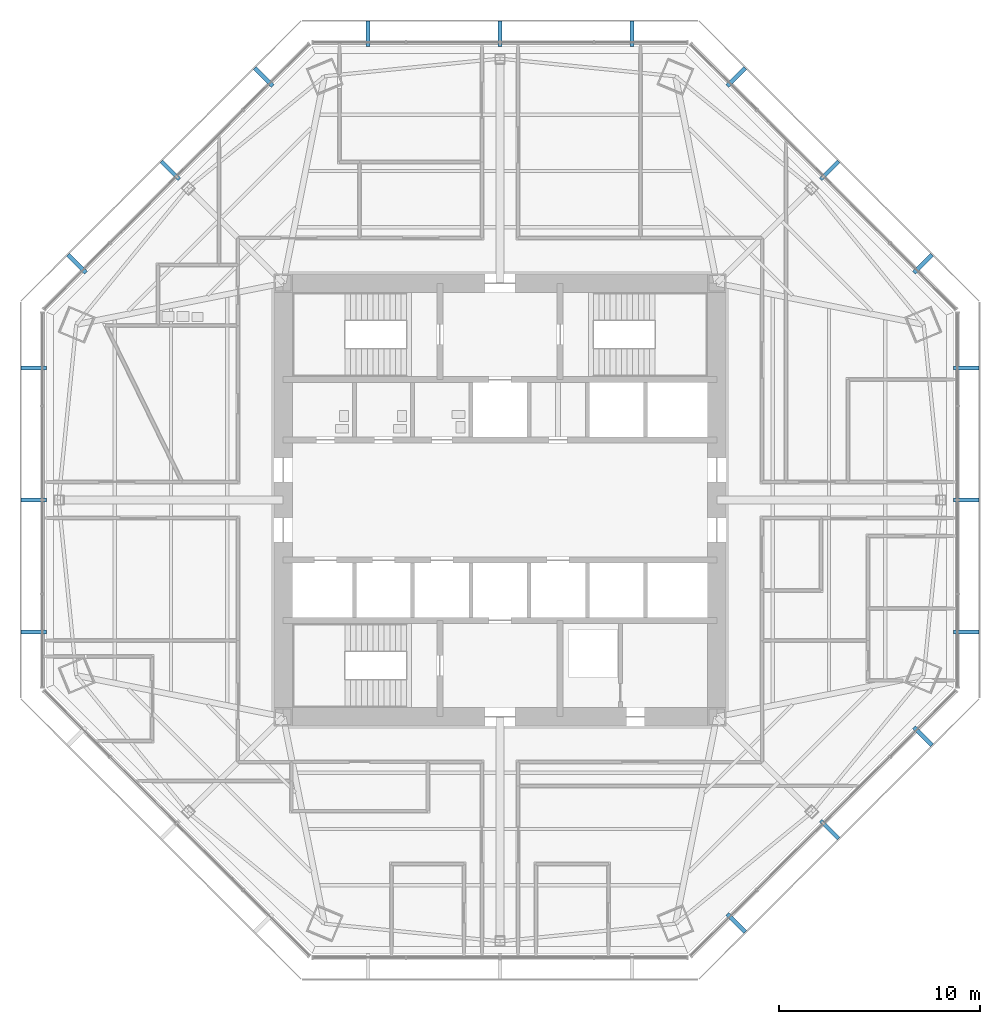
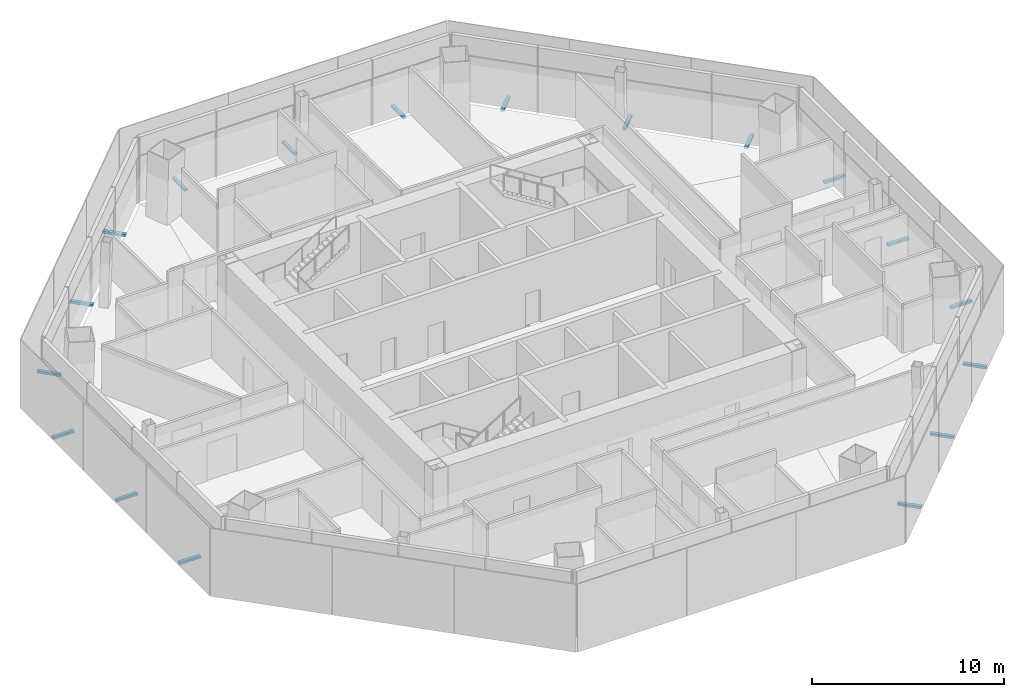
# One storey, part 12 of 15: 18 discrete accessories.
"""IFC4 building model written with IfcOpenShell, lengths in metres."""

from ifc_helpers import new_model, si_unit, direction, frame, origin, origin_2d, place, context, subcontext, project, spatial, rectangle, extrude, source, transform, mapped, material, type_object, type_shapes, element, save


model = new_model("IFC4")

# Units and contexts
model_context = context("Model", 3, precision=1e-05, world=origin(), true_north=direction((0.0, 1.0)))
body_context = subcontext(model_context, "Body", "Model", "MODEL_VIEW")
ifc_project = project(units=[si_unit("LENGTHUNIT", "METRE"), si_unit("AREAUNIT", "SQUARE_METRE"), si_unit("VOLUMEUNIT", "CUBIC_METRE"), si_unit("PLANEANGLEUNIT", "RADIAN"), si_unit("MASSUNIT", "GRAM", prefix="KILO")], contexts=[model_context])

# Site, building, storey
site_placement = place(None, origin())
site = spatial("IfcSite", under=ifc_project, at=site_placement, CompositionType="ELEMENT")
building_placement = place(site_placement, origin())
building = spatial("IfcBuilding", under=site, at=building_placement, Name="Mashrafa Tower", CompositionType="ELEMENT")
storey_placement = place(building_placement, frame((0.0, 0.0, 184.800048828125)))
storey = spatial("IfcBuildingStorey", under=building, at=storey_placement, Name="L42", CompositionType="ELEMENT", Elevation=184.800048828125)

# Discrete accessories
ifc_material = material(Name="Stainless steel screen bracket", Category="steel")
discrete_accessory_type = type_object("IfcDiscreteAccessoryType", Name="Screen support bracket 200 x 150", PredefinedType="BRACKET", material=ifc_material)
shared_shape = source(origin(), body_context, "Body", "SweptSolid", [
    extrude(rectangle(XDim=0.199951171875, YDim=1.27001953125, at=origin_2d()), origin(), (0.0, 0.0, 1.0), 0.14990234375),
])
type_shapes(discrete_accessory_type, [shared_shape])
for number, where, z_axis, x_axis, name in (
    (1, (23.221923828125, -6.581298828125, -0.14990234375), (0.0, 0.0, 1.0), (0.0, 1.0, 0.0), "Screen support bracket L42 east 1"),
    (2, (23.221923828125, 0.0, -0.14990234375), (0.0, 0.0, 1.0), (0.0, 1.0, 0.0), "Screen support bracket L42 east 2"),
    (3, (23.221923828125, 6.581298828125, -0.14990234375), (0.0, 0.0, 1.0), (0.0, 1.0, 0.0), "Screen support bracket L42 east 3"),
    (4, (21.073974609375, 11.766845703125, -0.14990234375), (0.0, 0.0, 1.0), (-0.707106781187, 0.707106781187, 0.0), "Screen support bracket L42 north-east 1"),
    (5, (16.42041015625, 16.42041015625, -0.14990234375), (0.0, 0.0, 1.0), (-0.707106781187, 0.707106781187, 0.0), "Screen support bracket L42 north-east 2"),
    (6, (11.766845703125, 21.073974609375, -0.14990234375), (0.0, 0.0, 1.0), (-0.707106781187, 0.707106781187, 0.0), "Screen support bracket L42 north-east 3"),
    (7, (6.581298828125, 23.221923828125, -0.14990234375), (0.0, 0.0, 1.0), (-1.0, 0.0, 0.0), "Screen support bracket L42 north 1"),
    (8, (0.0, 23.221923828125, -0.14990234375), (0.0, 0.0, 1.0), (-1.0, 0.0, 0.0), "Screen support bracket L42 north 2"),
    (9, (-6.581298828125, 23.221923828125, -0.14990234375), (0.0, 0.0, 1.0), (-1.0, 0.0, 0.0), "Screen support bracket L42 north 3"),
    (10, (-11.766845703125, 21.073974609375, -0.14990234375), (0.0, 0.0, 1.0), (-0.707106781187, -0.707106781187, 0.0), "Screen support bracket L42 north-west 1"),
    (11, (-16.42041015625, 16.42041015625, -0.14990234375), (0.0, 0.0, 1.0), (-0.707106781187, -0.707106781187, 0.0), "Screen support bracket L42 north-west 2"),
    (12, (-21.073974609375, 11.766845703125, -0.14990234375), (0.0, 0.0, 1.0), (-0.707106781187, -0.707106781187, 0.0), "Screen support bracket L42 north-west 3"),
    (13, (-23.221923828125, 6.581298828125, -0.14990234375), (0.0, 0.0, 1.0), (0.0, -1.0, 0.0), "Screen support bracket L42 west 1"),
    (14, (-23.221923828125, 0.0, -0.14990234375), (0.0, 0.0, 1.0), (0.0, -1.0, 0.0), "Screen support bracket L42 west 2"),
    (15, (-23.221923828125, -6.581298828125, -0.14990234375), (0.0, 0.0, 1.0), (0.0, -1.0, 0.0), "Screen support bracket L42 west 3"),
    (16, (11.766845703125, -21.073974609375, -0.14990234375), (0.0, 0.0, 1.0), (0.707106781187, 0.707106781187, 0.0), "Screen support bracket L42 south-east 1"),
    (17, (16.42041015625, -16.42041015625, -0.14990234375), (0.0, 0.0, 1.0), (0.707106781187, 0.707106781187, 0.0), "Screen support bracket L42 south-east 2"),
    (18, (21.073974609375, -11.766845703125, -0.14990234375), (0.0, 0.0, 1.0), (0.707106781187, 0.707106781187, 0.0), "Screen support bracket L42 south-east 3"),
):
    element("IfcDiscreteAccessory", number, at=place(storey_placement, frame(where, z_axis=z_axis, x_axis=x_axis)), inside=storey, type_object=discrete_accessory_type, Name=name, PredefinedType="BRACKET", context=body_context, shape_type="MappedRepresentation", body=[
        mapped(shared_shape, transform((0.0, 0.0, 0.0))),
    ])

save(model, "model.ifc")
